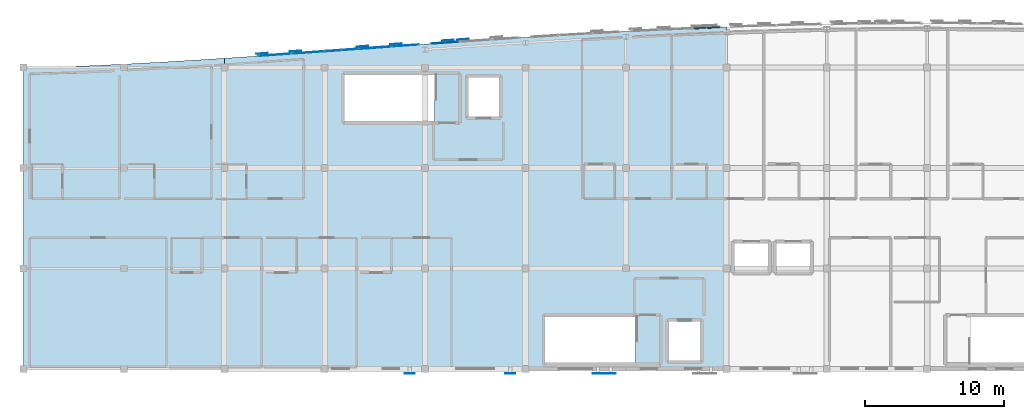
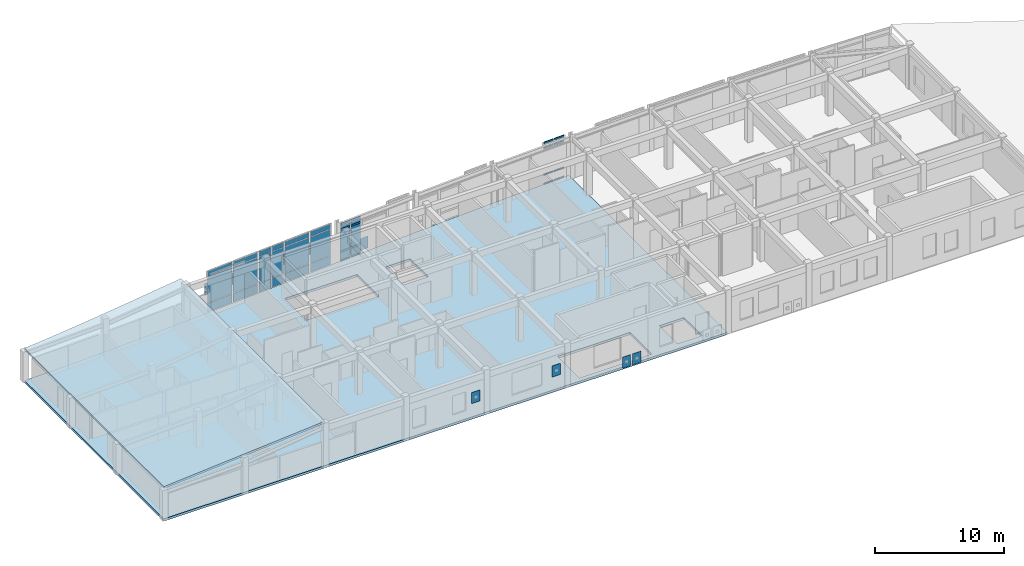
# One storey, part 16 of 24: 34 plates, 16 members, 2 slabs, 7 elements without a shape of their own.
"""IFC4 building model written with IfcOpenShell, lengths in metres."""

from ifc_helpers import new_model, si_unit, direction, frame, origin, origin_2d, place, context, subcontext, project, spatial, polyline, rectangle, hollow_rectangle, outline, extrude, material, layer, layer_set, material_profile, profile_set, type_object, element, aggregate, save


model = new_model("IFC4")

# Units and contexts
model_context = context("Model", 3, precision=1e-05, world=origin(), true_north=direction((0.0, 1.0)))
body_context = subcontext(model_context, "Body", "Model", "MODEL_VIEW")
ifc_project = project(units=[si_unit("LENGTHUNIT", "METRE"), si_unit("AREAUNIT", "SQUARE_METRE"), si_unit("VOLUMEUNIT", "CUBIC_METRE"), si_unit("PLANEANGLEUNIT", "RADIAN"), si_unit("MASSUNIT", "GRAM", prefix="KILO")], contexts=[model_context])

# Site, building, storey
site_placement = place(None, origin())
site = spatial("IfcSite", under=ifc_project, at=site_placement, CompositionType="ELEMENT")
building_placement = place(site_placement, origin())
building = spatial("IfcBuilding", under=site, at=building_placement, Name="Carrowvane Square Congress Hotel", CompositionType="ELEMENT")
storey_placement = place(building_placement, frame((0.0, 0.0, 44.39990234375)))
storey = spatial("IfcBuildingStorey", under=building, at=storey_placement, Name="L11", CompositionType="ELEMENT", Elevation=44.39990234375)

# Curtain wall, members
ifc_material_1 = material(Name="Anodised aluminium", Category="aluminium")
ifc_layer_1 = layer(ifc_material_1, 0.24609375)
ifc_layer_set_1 = layer_set([ifc_layer_1], Name="Anodised aluminium")
curtain_wall_type_1 = type_object("IfcCurtainWallType", Name="CW-SYS-8", PredefinedType="NOTDEFINED", material=ifc_layer_set_1)
curtain_wall_1_placement = place(storey_placement, origin())
curtain_wall_1 = element("IfcCurtainWall", 1, at=curtain_wall_1_placement, inside=storey, type_object=curtain_wall_type_1, Name="L11 unitised curtain wall 591", PredefinedType="NOTDEFINED")
ifc_material_2 = material(Name="Anodised aluminium", Category="aluminium")
ifc_material_profile = material_profile(ifc_material_2, hollow_rectangle(XDim=0.070068359375, YDim=0.14990234375, WallThickness=0.0048828125, at=origin_2d()), Name="CW-TR 70x150x5")
ifc_profile_set = profile_set([ifc_material_profile], Name="Anodised aluminium")
member_type = type_object("IfcMemberType", Name="CW-TRN-2", PredefinedType="USERDEFINED", material=ifc_profile_set)
member_1_placement = place(storey_placement, frame((62.427001953125, 115.11572265625, 0.03515625), z_axis=(0.997556190517, 0.069868782452, 0.0), x_axis=(-0.069868782452, 0.997556190517, 0.0)))
member_1 = element("IfcMember", 2, at=member_1_placement, type_object=member_type, Name="CW-8 transom 1.1", ObjectType="TRANSOM", PredefinedType="USERDEFINED", context=body_context, shape_type="SweptSolid", body=[
    extrude(hollow_rectangle(XDim=0.070068359375, YDim=0.14990234375, WallThickness=0.0048828125, at=origin_2d()), origin(), (0.0, 0.0, 1.0), 0.9189453125),
])
member_2_placement = place(storey_placement, frame((62.427001953125, 115.11572265625, 0.900146484375), z_axis=(0.997556190517, 0.069868782452, 0.0), x_axis=(-0.069868782452, 0.997556190517, 0.0)))
member_2 = element("IfcMember", 3, at=member_2_placement, type_object=member_type, Name="CW-8 transom 1.2", ObjectType="TRANSOM", PredefinedType="USERDEFINED", context=body_context, shape_type="SweptSolid", body=[
    extrude(hollow_rectangle(XDim=0.070068359375, YDim=0.14990234375, WallThickness=0.0048828125, at=origin_2d()), origin(), (0.0, 0.0, 1.0), 0.9189453125),
])
member_3_placement = place(storey_placement, frame((62.427001953125, 115.11572265625, 2.9755859375), z_axis=(0.997556190517, 0.069868782452, 0.0), x_axis=(-0.069868782452, 0.997556190517, 0.0)))
member_3 = element("IfcMember", 4, at=member_3_placement, type_object=member_type, Name="CW-8 transom 1.3", ObjectType="TRANSOM", PredefinedType="USERDEFINED", context=body_context, shape_type="SweptSolid", body=[
    extrude(hollow_rectangle(XDim=0.070068359375, YDim=0.14990234375, WallThickness=0.0048828125, at=origin_2d()), origin(), (0.0, 0.0, 1.0), 0.9189453125),
])
member_4_placement = place(storey_placement, frame((62.427001953125, 115.11572265625, 3.49072265625), z_axis=(0.997556190517, 0.069868782452, 0.0), x_axis=(-0.069868782452, 0.997556190517, 0.0)))
member_4 = element("IfcMember", 5, at=member_4_placement, type_object=member_type, Name="CW-8 transom 1.4", ObjectType="TRANSOM", PredefinedType="USERDEFINED", context=body_context, shape_type="SweptSolid", body=[
    extrude(hollow_rectangle(XDim=0.070068359375, YDim=0.14990234375, WallThickness=0.0048828125, at=origin_2d()), origin(), (0.0, 0.0, 1.0), 0.9189453125),
])
member_5_placement = place(storey_placement, frame((63.41357421875, 115.184814453125, 0.03515625), z_axis=(0.997574671863, 0.069604411193, 0.0), x_axis=(-0.069604411193, 0.997574671863, 0.0)))
member_5 = element("IfcMember", 6, at=member_5_placement, type_object=member_type, Name="CW-8 transom 2.1", ObjectType="TRANSOM", PredefinedType="USERDEFINED", context=body_context, shape_type="SweptSolid", body=[
    extrude(hollow_rectangle(XDim=0.070068359375, YDim=0.14990234375, WallThickness=0.0048828125, at=origin_2d()), origin(), (0.0, 0.0, 1.0), 0.9189453125),
])
member_6_placement = place(storey_placement, frame((63.41357421875, 115.184814453125, 0.900146484375), z_axis=(0.997574671863, 0.069604411193, 0.0), x_axis=(-0.069604411193, 0.997574671863, 0.0)))
member_6 = element("IfcMember", 7, at=member_6_placement, type_object=member_type, Name="CW-8 transom 2.2", ObjectType="TRANSOM", PredefinedType="USERDEFINED", context=body_context, shape_type="SweptSolid", body=[
    extrude(hollow_rectangle(XDim=0.070068359375, YDim=0.14990234375, WallThickness=0.0048828125, at=origin_2d()), origin(), (0.0, 0.0, 1.0), 0.9189453125),
])
member_7_placement = place(storey_placement, frame((63.41357421875, 115.184814453125, 2.9755859375), z_axis=(0.997574671863, 0.069604411193, 0.0), x_axis=(-0.069604411193, 0.997574671863, 0.0)))
member_7 = element("IfcMember", 8, at=member_7_placement, type_object=member_type, Name="CW-8 transom 2.3", ObjectType="TRANSOM", PredefinedType="USERDEFINED", context=body_context, shape_type="SweptSolid", body=[
    extrude(hollow_rectangle(XDim=0.070068359375, YDim=0.14990234375, WallThickness=0.0048828125, at=origin_2d()), origin(), (0.0, 0.0, 1.0), 0.9189453125),
])
member_8_placement = place(storey_placement, frame((63.41357421875, 115.184814453125, 3.49072265625), z_axis=(0.997574671863, 0.069604411193, 0.0), x_axis=(-0.069604411193, 0.997574671863, 0.0)))
member_8 = element("IfcMember", 9, at=member_8_placement, type_object=member_type, Name="CW-8 transom 2.4", ObjectType="TRANSOM", PredefinedType="USERDEFINED", context=body_context, shape_type="SweptSolid", body=[
    extrude(hollow_rectangle(XDim=0.070068359375, YDim=0.14990234375, WallThickness=0.0048828125, at=origin_2d()), origin(), (0.0, 0.0, 1.0), 0.9189453125),
])

curtain_wall_2_placement = place(storey_placement, origin())
curtain_wall_2 = element("IfcCurtainWall", 10, at=curtain_wall_2_placement, inside=storey, type_object=curtain_wall_type_1, Name="L11 unitised curtain wall 599", PredefinedType="NOTDEFINED")
member_9_placement = place(storey_placement, frame((81.27001953125, 116.23046875, 0.03515625), z_axis=(0.999197909708, 0.040044191038, 0.0), x_axis=(-0.040044191038, 0.999197909708, 0.0)))
member_9 = element("IfcMember", 11, at=member_9_placement, type_object=member_type, Name="CW-8 transom 1.1", ObjectType="TRANSOM", PredefinedType="USERDEFINED", context=body_context, shape_type="SweptSolid", body=[
    extrude(hollow_rectangle(XDim=0.070068359375, YDim=0.14990234375, WallThickness=0.0048828125, at=origin_2d()), origin(), (0.0, 0.0, 1.0), 0.896240234375),
])
member_10_placement = place(storey_placement, frame((81.27001953125, 116.23046875, 0.900146484375), z_axis=(0.999197909708, 0.040044191038, 0.0), x_axis=(-0.040044191038, 0.999197909708, 0.0)))
member_10 = element("IfcMember", 12, at=member_10_placement, type_object=member_type, Name="CW-8 transom 1.2", ObjectType="TRANSOM", PredefinedType="USERDEFINED", context=body_context, shape_type="SweptSolid", body=[
    extrude(hollow_rectangle(XDim=0.070068359375, YDim=0.14990234375, WallThickness=0.0048828125, at=origin_2d()), origin(), (0.0, 0.0, 1.0), 0.896240234375),
])
member_11_placement = place(storey_placement, frame((81.27001953125, 116.23046875, 3.400146484375), z_axis=(0.999197909708, 0.040044191038, 0.0), x_axis=(-0.040044191038, 0.999197909708, 0.0)))
member_11 = element("IfcMember", 13, at=member_11_placement, type_object=member_type, Name="CW-8 transom 1.3", ObjectType="TRANSOM", PredefinedType="USERDEFINED", context=body_context, shape_type="SweptSolid", body=[
    extrude(hollow_rectangle(XDim=0.070068359375, YDim=0.14990234375, WallThickness=0.0048828125, at=origin_2d()), origin(), (0.0, 0.0, 1.0), 0.896240234375),
])
member_12_placement = place(storey_placement, frame((81.27001953125, 116.23046875, 3.9150390625), z_axis=(0.999197909708, 0.040044191038, 0.0), x_axis=(-0.040044191038, 0.999197909708, 0.0)))
member_12 = element("IfcMember", 14, at=member_12_placement, type_object=member_type, Name="CW-8 transom 1.4", ObjectType="TRANSOM", PredefinedType="USERDEFINED", context=body_context, shape_type="SweptSolid", body=[
    extrude(hollow_rectangle(XDim=0.070068359375, YDim=0.14990234375, WallThickness=0.0048828125, at=origin_2d()), origin(), (0.0, 0.0, 1.0), 0.896240234375),
])
member_13_placement = place(storey_placement, frame((82.235595703125, 116.269287109375, 0.03515625), z_axis=(0.999197909708, 0.040044191038, 0.0), x_axis=(-0.040044191038, 0.999197909708, 0.0)))
member_13 = element("IfcMember", 15, at=member_13_placement, type_object=member_type, Name="CW-8 transom 2.1", ObjectType="TRANSOM", PredefinedType="USERDEFINED", context=body_context, shape_type="SweptSolid", body=[
    extrude(hollow_rectangle(XDim=0.070068359375, YDim=0.14990234375, WallThickness=0.0048828125, at=origin_2d()), origin(), (0.0, 0.0, 1.0), 0.896240234375),
])
member_14_placement = place(storey_placement, frame((82.235595703125, 116.269287109375, 0.900146484375), z_axis=(0.999197909708, 0.040044191038, 0.0), x_axis=(-0.040044191038, 0.999197909708, 0.0)))
member_14 = element("IfcMember", 16, at=member_14_placement, type_object=member_type, Name="CW-8 transom 2.2", ObjectType="TRANSOM", PredefinedType="USERDEFINED", context=body_context, shape_type="SweptSolid", body=[
    extrude(hollow_rectangle(XDim=0.070068359375, YDim=0.14990234375, WallThickness=0.0048828125, at=origin_2d()), origin(), (0.0, 0.0, 1.0), 0.896240234375),
])
member_15_placement = place(storey_placement, frame((82.235595703125, 116.269287109375, 3.400146484375), z_axis=(0.999197909708, 0.040044191038, 0.0), x_axis=(-0.040044191038, 0.999197909708, 0.0)))
member_15 = element("IfcMember", 17, at=member_15_placement, type_object=member_type, Name="CW-8 transom 2.3", ObjectType="TRANSOM", PredefinedType="USERDEFINED", context=body_context, shape_type="SweptSolid", body=[
    extrude(hollow_rectangle(XDim=0.070068359375, YDim=0.14990234375, WallThickness=0.0048828125, at=origin_2d()), origin(), (0.0, 0.0, 1.0), 0.896240234375),
])
member_16_placement = place(storey_placement, frame((82.235595703125, 116.269287109375, 3.9150390625), z_axis=(0.999197909708, 0.040044191038, 0.0), x_axis=(-0.040044191038, 0.999197909708, 0.0)))
member_16 = element("IfcMember", 18, at=member_16_placement, type_object=member_type, Name="CW-8 transom 2.4", ObjectType="TRANSOM", PredefinedType="USERDEFINED", context=body_context, shape_type="SweptSolid", body=[
    extrude(hollow_rectangle(XDim=0.070068359375, YDim=0.14990234375, WallThickness=0.0048828125, at=origin_2d()), origin(), (0.0, 0.0, 1.0), 0.896240234375),
])
aggregate(curtain_wall_2, [member_9, member_10, member_11, member_12, member_13, member_14, member_15, member_16])

# Curtain wall, plates
ifc_material_3 = material(Name="Anodised aluminium", Category="aluminium")
ifc_layer_2 = layer(ifc_material_3, 0.23388671875)
ifc_layer_set_2 = layer_set([ifc_layer_2], Name="Anodised aluminium")
curtain_wall_type_2 = type_object("IfcCurtainWallType", Name="CW-SYS-7", PredefinedType="NOTDEFINED", material=ifc_layer_set_2)
curtain_wall_3_placement = place(storey_placement, origin())
curtain_wall_3 = element("IfcCurtainWall", 19, at=curtain_wall_3_placement, inside=storey, type_object=curtain_wall_type_2, Name="L11 unitised curtain wall 590", PredefinedType="NOTDEFINED")
ifc_material_4 = material(Name="Double-glazed low-E glass", Category="glass")
ifc_layer_3 = layer(ifc_material_4, 0.028076171875)
ifc_layer_set_3 = layer_set([ifc_layer_3], Name="Double-glazed low-E glass")
plate_type_1 = type_object("IfcPlateType", Name="CW-PAN-1", PredefinedType="CURTAIN_PANEL", material=ifc_layer_set_3)
plate_1_placement = place(storey_placement, frame((60.5947265625, 114.986083984375, 0.06005859375), z_axis=(0.0, 0.0, 1.0), x_axis=(0.997479146426, 0.070960217342, 0.0)))
plate_1 = element("IfcPlate", 20, at=plate_1_placement, type_object=plate_type_1, Name="CW-7 panel 1.1", PredefinedType="CURTAIN_PANEL", context=body_context, shape_type="SweptSolid", body=[
    extrude(rectangle(XDim=1.87451171875, YDim=0.028076171875, at=origin_2d()), origin(), (0.0, 0.0, 1.0), 0.81005859375),
])
plate_2_placement = place(storey_placement, frame((60.5947265625, 114.986083984375, 0.93017578125), z_axis=(0.0, 0.0, 1.0), x_axis=(0.997479146426, 0.070960217342, 0.0)))
plate_2 = element("IfcPlate", 21, at=plate_2_placement, type_object=plate_type_1, Name="CW-7 panel 1.2", PredefinedType="CURTAIN_PANEL", context=body_context, shape_type="SweptSolid", body=[
    extrude(rectangle(XDim=1.87451171875, YDim=0.028076171875, at=origin_2d()), origin(), (0.0, 0.0, 1.0), 2.43994140625),
])
plate_3_placement = place(storey_placement, frame((60.5947265625, 114.986083984375, 3.43017578125), z_axis=(0.0, 0.0, 1.0), x_axis=(0.997479146426, 0.070960217342, 0.0)))
plate_3 = element("IfcPlate", 22, at=plate_3_placement, type_object=plate_type_1, Name="CW-7 panel 1.3", PredefinedType="CURTAIN_PANEL", context=body_context, shape_type="SweptSolid", body=[
    extrude(rectangle(XDim=1.87451171875, YDim=0.028076171875, at=origin_2d()), origin(), (0.0, 0.0, 1.0), 0.4599609375),
])
aggregate(curtain_wall_3, [plate_1, plate_2, plate_3])

ifc_material_5 = material(Name="Anodised aluminium", Category="aluminium")
ifc_layer_4 = layer(ifc_material_5, 0.18603515625)
ifc_layer_set_4 = layer_set([ifc_layer_4], Name="Anodised aluminium")
curtain_wall_type_3 = type_object("IfcCurtainWallType", Name="CW-SYS-3", PredefinedType="NOTDEFINED", material=ifc_layer_set_4)
curtain_wall_4_placement = place(storey_placement, origin())
curtain_wall_4 = element("IfcCurtainWall", 23, at=curtain_wall_4_placement, inside=storey, type_object=curtain_wall_type_3, Name="L11 unitised curtain wall 586", PredefinedType="NOTDEFINED")
ifc_material_6 = material(Name="Double-glazed low-E glass", Category="glass")
ifc_layer_5 = layer(ifc_material_6, 0.031982421875)
ifc_layer_set_5 = layer_set([ifc_layer_5], Name="Double-glazed low-E glass")
plate_type_2 = type_object("IfcPlateType", Name="CW-PAN-2", PredefinedType="CURTAIN_PANEL", material=ifc_layer_set_5)
plate_4_placement = place(storey_placement, frame((51.199951171875, 114.318359375, 0.06005859375), z_axis=(0.0, 0.0, 1.0), x_axis=(0.997617619706, 0.068986120725, 0.0)))
plate_4 = element("IfcPlate", 24, at=plate_4_placement, type_object=plate_type_2, Name="CW-3 panel 1.1", PredefinedType="CURTAIN_PANEL", context=body_context, shape_type="SweptSolid", body=[
    extrude(rectangle(XDim=2.28564453125, YDim=0.031982421875, at=origin_2d()), origin(), (0.0, 0.0, 1.0), 0.81005859375),
])
plate_5_placement = place(storey_placement, frame((51.199951171875, 114.318359375, 0.93017578125), z_axis=(0.0, 0.0, 1.0), x_axis=(0.997617619706, 0.068986120725, 0.0)))
plate_5 = element("IfcPlate", 25, at=plate_5_placement, type_object=plate_type_2, Name="CW-3 panel 1.2", PredefinedType="CURTAIN_PANEL", context=body_context, shape_type="SweptSolid", body=[
    extrude(rectangle(XDim=2.28564453125, YDim=0.031982421875, at=origin_2d()), origin(), (0.0, 0.0, 1.0), 2.43994140625),
])
plate_6_placement = place(storey_placement, frame((51.199951171875, 114.318359375, 3.43017578125), z_axis=(0.0, 0.0, 1.0), x_axis=(0.997617619706, 0.068986120725, 0.0)))
plate_6 = element("IfcPlate", 26, at=plate_6_placement, type_object=plate_type_2, Name="CW-3 panel 1.3", PredefinedType="CURTAIN_PANEL", context=body_context, shape_type="SweptSolid", body=[
    extrude(rectangle(XDim=2.28564453125, YDim=0.031982421875, at=origin_2d()), origin(), (0.0, 0.0, 1.0), 0.4599609375),
])
aggregate(curtain_wall_4, [plate_4, plate_5, plate_6])

# Plate
plate_7_placement = place(storey_placement, frame((62.885498046875, 115.14794921875, 0.070068359375), z_axis=(0.0, 0.0, 1.0), x_axis=(0.997566332949, 0.069723822092, 0.0)))
plate_7 = element("IfcPlate", 27, at=plate_7_placement, type_object=plate_type_2, Name="CW-8 panel 1.1", PredefinedType="CURTAIN_PANEL", context=body_context, shape_type="SweptSolid", body=[
    extrude(rectangle(XDim=0.9189453125, YDim=0.031982421875, at=origin_2d()), origin(), (0.0, 0.0, 1.0), 0.794921875),
])

plate_8_placement = place(storey_placement, frame((62.885498046875, 115.14794921875, 0.93505859375), z_axis=(0.0, 0.0, 1.0), x_axis=(0.997566332949, 0.069723822092, 0.0)))
plate_8 = element("IfcPlate", 28, at=plate_8_placement, type_object=plate_type_2, Name="CW-8 panel 1.2", PredefinedType="CURTAIN_PANEL", context=body_context, shape_type="SweptSolid", body=[
    extrude(rectangle(XDim=0.9189453125, YDim=0.031982421875, at=origin_2d()), origin(), (0.0, 0.0, 1.0), 2.005615234375),
])

plate_9_placement = place(storey_placement, frame((62.885498046875, 115.14794921875, 3.0107421875), z_axis=(0.0, 0.0, 1.0), x_axis=(0.997566332949, 0.069723822092, 0.0)))
plate_9 = element("IfcPlate", 29, at=plate_9_placement, type_object=plate_type_2, Name="CW-8 panel 1.3", PredefinedType="CURTAIN_PANEL", context=body_context, shape_type="SweptSolid", body=[
    extrude(rectangle(XDim=0.9189453125, YDim=0.031982421875, at=origin_2d()), origin(), (0.0, 0.0, 1.0), 0.445068359375),
])

plate_10_placement = place(storey_placement, frame((63.871826171875, 115.216796875, 0.070068359375), z_axis=(0.0, 0.0, 1.0), x_axis=(0.997566332949, 0.069723822092, 0.0)))
plate_10 = element("IfcPlate", 30, at=plate_10_placement, type_object=plate_type_2, Name="CW-8 panel 2.1", PredefinedType="CURTAIN_PANEL", context=body_context, shape_type="SweptSolid", body=[
    extrude(rectangle(XDim=0.9189453125, YDim=0.031982421875, at=origin_2d()), origin(), (0.0, 0.0, 1.0), 0.794921875),
])

plate_11_placement = place(storey_placement, frame((63.871826171875, 115.216796875, 0.93505859375), z_axis=(0.0, 0.0, 1.0), x_axis=(0.997566332949, 0.069723822092, 0.0)))
plate_11 = element("IfcPlate", 31, at=plate_11_placement, type_object=plate_type_2, Name="CW-8 panel 2.2", PredefinedType="CURTAIN_PANEL", context=body_context, shape_type="SweptSolid", body=[
    extrude(rectangle(XDim=0.9189453125, YDim=0.031982421875, at=origin_2d()), origin(), (0.0, 0.0, 1.0), 2.005615234375),
])

plate_12_placement = place(storey_placement, frame((63.871826171875, 115.216796875, 3.0107421875), z_axis=(0.0, 0.0, 1.0), x_axis=(0.997566332949, 0.069723822092, 0.0)))
plate_12 = element("IfcPlate", 32, at=plate_12_placement, type_object=plate_type_2, Name="CW-8 panel 2.3", PredefinedType="CURTAIN_PANEL", context=body_context, shape_type="SweptSolid", body=[
    extrude(rectangle(XDim=0.9189453125, YDim=0.031982421875, at=origin_2d()), origin(), (0.0, 0.0, 1.0), 0.445068359375),
])

aggregate(curtain_wall_1, [member_1, member_2, member_3, member_4, plate_7, plate_8, plate_9, member_5, member_6, member_7, member_8, plate_10, plate_11, plate_12])

# Curtain wall, plates
ifc_material_7 = material(Name="Anodised aluminium", Category="aluminium")
ifc_layer_6 = layer(ifc_material_7, 0.197998046875)
ifc_layer_set_6 = layer_set([ifc_layer_6], Name="Anodised aluminium")
curtain_wall_type_4 = type_object("IfcCurtainWallType", Name="CW-SYS-4", PredefinedType="NOTDEFINED", material=ifc_layer_set_6)
curtain_wall_5_placement = place(storey_placement, origin())
curtain_wall_5 = element("IfcCurtainWall", 33, at=curtain_wall_5_placement, inside=storey, type_object=curtain_wall_type_4, Name="L11 unitised curtain wall 587", PredefinedType="NOTDEFINED")
ifc_material_8 = material(Name="Double-glazed low-E glass", Category="glass")
ifc_layer_7 = layer(ifc_material_8, 0.035888671875)
ifc_layer_set_7 = layer_set([ifc_layer_7], Name="Double-glazed low-E glass")
plate_type_3 = type_object("IfcPlateType", Name="CW-PAN-3", PredefinedType="CURTAIN_PANEL", material=ifc_layer_set_7)
plate_13_placement = place(storey_placement, frame((53.60009765625, 114.486328125, 0.070068359375), z_axis=(0.0, 0.0, 1.0), x_axis=(0.997505697746, 0.070585996942, 0.0)))
plate_13 = element("IfcPlate", 34, at=plate_13_placement, type_object=plate_type_3, Name="CW-4 panel 1.1", PredefinedType="CURTAIN_PANEL", context=body_context, shape_type="SweptSolid", body=[
    extrude(rectangle(XDim=2.26611328125, YDim=0.035888671875, at=origin_2d()), origin(), (0.0, 0.0, 1.0), 0.794921875),
])
plate_14_placement = place(storey_placement, frame((53.60009765625, 114.486328125, 0.93505859375), z_axis=(0.0, 0.0, 1.0), x_axis=(0.997505697746, 0.070585996942, 0.0)))
plate_14 = element("IfcPlate", 35, at=plate_14_placement, type_object=plate_type_3, Name="CW-4 panel 1.2", PredefinedType="CURTAIN_PANEL", context=body_context, shape_type="SweptSolid", body=[
    extrude(rectangle(XDim=2.26611328125, YDim=0.035888671875, at=origin_2d()), origin(), (0.0, 0.0, 1.0), 2.429931640625),
])
plate_15_placement = place(storey_placement, frame((53.60009765625, 114.486328125, 3.43505859375), z_axis=(0.0, 0.0, 1.0), x_axis=(0.997505697746, 0.070585996942, 0.0)))
plate_15 = element("IfcPlate", 36, at=plate_15_placement, type_object=plate_type_3, Name="CW-4 panel 1.3", PredefinedType="CURTAIN_PANEL", context=body_context, shape_type="SweptSolid", body=[
    extrude(rectangle(XDim=2.26611328125, YDim=0.035888671875, at=origin_2d()), origin(), (0.0, 0.0, 1.0), 0.445068359375),
])
aggregate(curtain_wall_5, [plate_13, plate_14, plate_15])

ifc_material_9 = material(Name="Anodised aluminium", Category="aluminium")
ifc_layer_8 = layer(ifc_material_9, 0.2099609375)
ifc_layer_set_8 = layer_set([ifc_layer_8], Name="Anodised aluminium")
curtain_wall_type_5 = type_object("IfcCurtainWallType", Name="CW-SYS-5", PredefinedType="NOTDEFINED", material=ifc_layer_set_8)
curtain_wall_6_placement = place(storey_placement, origin())
curtain_wall_6 = element("IfcCurtainWall", 37, at=curtain_wall_6_placement, inside=storey, type_object=curtain_wall_type_5, Name="L11 unitised curtain wall 588", PredefinedType="NOTDEFINED")
ifc_material_10 = material(Name="Double-glazed low-E glass", Category="glass")
ifc_layer_9 = layer(ifc_material_10, 0.0419921875)
ifc_layer_set_9 = layer_set([ifc_layer_9], Name="Double-glazed low-E glass")
plate_type_4 = type_object("IfcPlateType", Name="CW-PAN-4", PredefinedType="CURTAIN_PANEL", material=ifc_layer_set_9)
plate_16_placement = place(storey_placement, frame((55.4150390625, 114.615234375, 0.06005859375), z_axis=(0.0, 0.0, 1.0), x_axis=(0.997446448898, 0.071418356042, 0.0)))
plate_16 = element("IfcPlate", 38, at=plate_16_placement, type_object=plate_type_4, Name="CW-5 panel 1.1", PredefinedType="CURTAIN_PANEL", context=body_context, shape_type="SweptSolid", body=[
    extrude(rectangle(XDim=1.113037109375, YDim=0.0419921875, at=origin_2d()), origin(), (0.0, 0.0, 1.0), 0.81005859375),
])
plate_17_placement = place(storey_placement, frame((55.4150390625, 114.615234375, 0.93017578125), z_axis=(0.0, 0.0, 1.0), x_axis=(0.997446448898, 0.071418356042, 0.0)))
plate_17 = element("IfcPlate", 39, at=plate_17_placement, type_object=plate_type_4, Name="CW-5 panel 1.2", PredefinedType="CURTAIN_PANEL", context=body_context, shape_type="SweptSolid", body=[
    extrude(rectangle(XDim=1.113037109375, YDim=0.0419921875, at=origin_2d()), origin(), (0.0, 0.0, 1.0), 2.43994140625),
])
plate_18_placement = place(storey_placement, frame((55.4150390625, 114.615234375, 3.43017578125), z_axis=(0.0, 0.0, 1.0), x_axis=(0.997446448898, 0.071418356042, 0.0)))
plate_18 = element("IfcPlate", 40, at=plate_18_placement, type_object=plate_type_4, Name="CW-5 panel 1.3", PredefinedType="CURTAIN_PANEL", context=body_context, shape_type="SweptSolid", body=[
    extrude(rectangle(XDim=1.113037109375, YDim=0.0419921875, at=origin_2d()), origin(), (0.0, 0.0, 1.0), 0.4599609375),
])
plate_19_placement = place(storey_placement, frame((56.5849609375, 114.698974609375, 0.06005859375), z_axis=(0.0, 0.0, 1.0), x_axis=(0.997446448898, 0.071418356042, 0.0)))
plate_19 = element("IfcPlate", 41, at=plate_19_placement, type_object=plate_type_4, Name="CW-5 panel 2.1", PredefinedType="CURTAIN_PANEL", context=body_context, shape_type="SweptSolid", body=[
    extrude(rectangle(XDim=1.113037109375, YDim=0.0419921875, at=origin_2d()), origin(), (0.0, 0.0, 1.0), 0.81005859375),
])
plate_20_placement = place(storey_placement, frame((56.5849609375, 114.698974609375, 0.93017578125), z_axis=(0.0, 0.0, 1.0), x_axis=(0.997446448898, 0.071418356042, 0.0)))
plate_20 = element("IfcPlate", 42, at=plate_20_placement, type_object=plate_type_4, Name="CW-5 panel 2.2", PredefinedType="CURTAIN_PANEL", context=body_context, shape_type="SweptSolid", body=[
    extrude(rectangle(XDim=1.113037109375, YDim=0.0419921875, at=origin_2d()), origin(), (0.0, 0.0, 1.0), 2.43994140625),
])
plate_21_placement = place(storey_placement, frame((56.5849609375, 114.698974609375, 3.43017578125), z_axis=(0.0, 0.0, 1.0), x_axis=(0.997446448898, 0.071418356042, 0.0)))
plate_21 = element("IfcPlate", 43, at=plate_21_placement, type_object=plate_type_4, Name="CW-5 panel 2.3", PredefinedType="CURTAIN_PANEL", context=body_context, shape_type="SweptSolid", body=[
    extrude(rectangle(XDim=1.113037109375, YDim=0.0419921875, at=origin_2d()), origin(), (0.0, 0.0, 1.0), 0.4599609375),
])
aggregate(curtain_wall_6, [plate_16, plate_17, plate_18, plate_19, plate_20, plate_21])

ifc_material_11 = material(Name="Anodised aluminium", Category="aluminium")
ifc_layer_10 = layer(ifc_material_11, 0.221923828125)
ifc_layer_set_10 = layer_set([ifc_layer_10], Name="Anodised aluminium")
curtain_wall_type_6 = type_object("IfcCurtainWallType", Name="CW-SYS-6", PredefinedType="NOTDEFINED", material=ifc_layer_set_10)
curtain_wall_7_placement = place(storey_placement, origin())
curtain_wall_7 = element("IfcCurtainWall", 44, at=curtain_wall_7_placement, inside=storey, type_object=curtain_wall_type_6, Name="L11 unitised curtain wall 589", PredefinedType="NOTDEFINED")
ifc_material_12 = material(Name="Double-glazed low-E glass", Category="glass")
ifc_layer_11 = layer(ifc_material_12, 0.048095703125)
ifc_layer_set_11 = layer_set([ifc_layer_11], Name="Double-glazed low-E glass")
plate_type_5 = type_object("IfcPlateType", Name="CW-PAN-5", PredefinedType="CURTAIN_PANEL", material=ifc_layer_set_11)
plate_22_placement = place(storey_placement, frame((58.39990234375, 114.8291015625, 0.070068359375), z_axis=(0.0, 0.0, 1.0), x_axis=(0.997438322595, 0.071531759512, 0.0)))
plate_22 = element("IfcPlate", 45, at=plate_22_placement, type_object=plate_type_5, Name="CW-6 panel 1.1", PredefinedType="CURTAIN_PANEL", context=body_context, shape_type="SweptSolid", body=[
    extrude(rectangle(XDim=2.26611328125, YDim=0.048095703125, at=origin_2d()), origin(), (0.0, 0.0, 1.0), 0.794921875),
])
plate_23_placement = place(storey_placement, frame((58.39990234375, 114.8291015625, 0.93505859375), z_axis=(0.0, 0.0, 1.0), x_axis=(0.997438322595, 0.071531759512, 0.0)))
plate_23 = element("IfcPlate", 46, at=plate_23_placement, type_object=plate_type_5, Name="CW-6 panel 1.2", PredefinedType="CURTAIN_PANEL", context=body_context, shape_type="SweptSolid", body=[
    extrude(rectangle(XDim=2.26611328125, YDim=0.048095703125, at=origin_2d()), origin(), (0.0, 0.0, 1.0), 2.429931640625),
])
plate_24_placement = place(storey_placement, frame((58.39990234375, 114.8291015625, 3.43505859375), z_axis=(0.0, 0.0, 1.0), x_axis=(0.997438322595, 0.071531759512, 0.0)))
plate_24 = element("IfcPlate", 47, at=plate_24_placement, type_object=plate_type_5, Name="CW-6 panel 1.3", PredefinedType="CURTAIN_PANEL", context=body_context, shape_type="SweptSolid", body=[
    extrude(rectangle(XDim=2.26611328125, YDim=0.048095703125, at=origin_2d()), origin(), (0.0, 0.0, 1.0), 0.445068359375),
])
aggregate(curtain_wall_7, [plate_22, plate_23, plate_24])

# Plates
ifc_material_13 = material(Name="Champagne-gold anodised aluminium", Category="aluminium")
ifc_layer_12 = layer(ifc_material_13, 0.011962890625)
ifc_layer_set_12 = layer_set([ifc_layer_12], Name="Champagne-gold anodised aluminium")
plate_type_6 = type_object("IfcPlateType", Name="PLT-PIX-GOLD12", PredefinedType="SHEET", material=ifc_layer_set_12)
for number, where, z_axis, x_axis, name in (
    (48, (52.712158203125, 114.58984375, 1.590087890625), (0.0, 0.0, 1.0), (0.997505756275, 0.070585169822, 0.0), "Champagne-gold pixel screen plate 1003"),
    (49, (57.51220703125, 114.931884765625, 1.590087890625), (0.0, 0.0, 1.0), (0.997438267187, 0.071532532122, 0.0), "Champagne-gold pixel screen plate 1004"),
    (50, (63.65625, 115.3681640625, 0.1201171875), (0.0, 0.0, 1.0), (0.997566258056, 0.069724893606, 0.0), "Champagne-gold pixel screen plate 1006"),
):
    element("IfcPlate", number, at=place(storey_placement, frame(where, z_axis=z_axis, x_axis=x_axis)), inside=storey, type_object=plate_type_6, Name=name, PredefinedType="SHEET", context=body_context, shape_type="SweptSolid", body=[
        extrude(rectangle(XDim=0.827880859375, YDim=0.011962890625, at=origin_2d()), origin(), (0.0, 0.0, 1.0), 1.1201171875),
    ])
plate_25_placement = place(storey_placement, frame((68.10009765625, 91.468994140625, 1.52490234375), z_axis=(0.0, 0.0, 1.0), x_axis=(-1.0, 0.0, 0.0)))
element("IfcPlate", 51, at=plate_25_placement, inside=storey, type_object=plate_type_6, Name="Champagne-gold pixel screen plate S-1043", PredefinedType="SHEET", context=body_context, shape_type="SweptSolid", body=[
    extrude(rectangle(XDim=0.738037109375, YDim=0.011962890625, at=origin_2d()), origin(), (0.0, 0.0, 1.0), 1.050048828125),
])
ifc_material_14 = material(Name="Champagne-gold anodised aluminium", Category="aluminium")
ifc_layer_13 = layer(ifc_material_14, 0.008056640625)
ifc_layer_set_13 = layer_set([ifc_layer_13], Name="Champagne-gold anodised aluminium")
plate_type_7 = type_object("IfcPlateType", Name="PLT-PIX-GOLD8", PredefinedType="SHEET", material=ifc_layer_set_13)
for number, where, z_axis, x_axis, name in (
    (52, (50.3076171875, 114.421142578125, 1.590087890625), (0.0, 0.0, 1.0), (0.99761759323, 0.068986503591, 0.0), "Champagne-gold pixel screen plate 1002"),
    (53, (59.907470703125, 115.1015625, 1.590087890625), (0.0, 0.0, 1.0), (0.997479379392, 0.070956942496, 0.0), "Champagne-gold pixel screen plate 1005"),
    (54, (64.7080078125, 115.43896484375, 0.1201171875), (0.0, 0.0, 1.0), (0.9976944394, 0.067866085713, 0.0), "Champagne-gold pixel screen plate 1007"),
):
    element("IfcPlate", number, at=place(storey_placement, frame(where, z_axis=z_axis, x_axis=x_axis)), inside=storey, type_object=plate_type_7, Name=name, PredefinedType="SHEET", context=body_context, shape_type="SweptSolid", body=[
        extrude(rectangle(XDim=0.827880859375, YDim=0.008056640625, at=origin_2d()), origin(), (0.0, 0.0, 1.0), 1.1201171875),
    ])
for number, where, z_axis, x_axis, name in (
    (55, (75.300048828125, 91.470947265625, 0.1552734375), (0.0, 0.0, 1.0), (-1.0, 0.0, 0.0), "Champagne-gold pixel screen plate S-1041"),
    (56, (74.39990234375, 91.470947265625, 0.1552734375), (0.0, 0.0, 1.0), (-1.0, 0.0, 0.0), "Champagne-gold pixel screen plate S-1042"),
    (57, (60.89990234375, 91.470947265625, 1.52490234375), (0.0, 0.0, 1.0), (-1.0, 0.0, 0.0), "Champagne-gold pixel screen plate S-1044"),
):
    element("IfcPlate", number, at=place(storey_placement, frame(where, z_axis=z_axis, x_axis=x_axis)), inside=storey, type_object=plate_type_7, Name=name, PredefinedType="SHEET", context=body_context, shape_type="SweptSolid", body=[
        extrude(rectangle(XDim=0.738037109375, YDim=0.008056640625, at=origin_2d()), origin(), (0.0, 0.0, 1.0), 1.050048828125),
    ])

# Slabs
ifc_material_15 = material(Name="Concrete C35/45", Category="concrete")
ifc_layer_14 = layer(ifc_material_15, 0.219970703125)
ifc_layer_set_14 = layer_set([ifc_layer_14], Name="Concrete C35/45")
slab_type_1 = type_object("IfcSlabType", Name="SLB-FLR-220", PredefinedType="FLOOR", material=ifc_layer_set_14)
slab_1_placement = place(storey_placement, frame((0.0, 0.0, -0.219970703125)))
element("IfcSlab", 58, at=slab_1_placement, inside=storey, type_object=slab_type_1, Name="L11 Hotel Wing slab panel 1", PredefinedType="FLOOR", context=body_context, shape_type="SweptSolid", body=[
    extrude(outline(polyline([(33.199951171875, 91.800048828125), (83.60009765625, 91.800048828125), (83.60009765625, 116.323974609375), (81.199951171875, 116.2275390625), (78.800048828125, 116.118408203125), (76.39990234375, 115.99755859375), (74.0, 115.86572265625), (71.60009765625, 115.724365234375), (69.199951171875, 115.57421875), (66.800048828125, 115.4169921875), (64.39990234375, 115.253662109375), (62.0, 115.0859375), (59.60009765625, 114.915283203125), (57.199951171875, 114.7431640625), (54.800048828125, 114.5712890625), (52.39990234375, 114.4013671875), (50.0, 114.235595703125), (47.60009765625, 114.075439453125), (45.199951171875, 113.923095703125), (42.800048828125, 113.78125), (40.39990234375, 113.65283203125), (38.0, 113.541015625), (35.60009765625, 113.45166015625), (33.199951171875, 113.39990234375), (33.199951171875, 91.800048828125)]), holes=[polyline([(62.679931640625, 112.89990234375), (56.199951171875, 112.89990234375), (56.199951171875, 109.5400390625), (62.679931640625, 109.5400390625), (62.679931640625, 112.89990234375)]), polyline([(77.080078125, 95.56005859375), (70.60009765625, 95.56005859375), (70.60009765625, 92.199951171875), (77.080078125, 92.199951171875), (77.080078125, 95.56005859375)]), polyline([(65.10009765625, 109.89990234375), (67.300048828125, 109.89990234375), (67.300048828125, 112.699951171875), (65.10009765625, 112.699951171875), (65.10009765625, 109.89990234375)]), polyline([(79.5, 92.39990234375), (81.699951171875, 92.39990234375), (81.699951171875, 95.199951171875), (79.5, 95.199951171875), (79.5, 92.39990234375)])]), origin(), (0.0, 0.0, 1.0), 0.219970703125),
])
ifc_material_16 = material(Name="Concrete C35/45", Category="concrete")
ifc_layer_15 = layer(ifc_material_16, 0.199951171875)
ifc_layer_set_15 = layer_set([ifc_layer_15], Name="Concrete C35/45")
slab_type_2 = type_object("IfcSlabType", Name="SLB-ROOF-200", PredefinedType="ROOF", material=ifc_layer_set_15)
slab_2_placement = place(storey_placement, frame((33.199951171875, 91.800048828125, 3.050048828125), z_axis=(-0.079617050205, 2.706473e-06, 0.996825524006), x_axis=(0.996825524009, 0.0, 0.079617050205)))
element("IfcSlab", 59, at=slab_2_placement, inside=storey, type_object=slab_type_2, Name="L11 shallow-arc curved roof panel SLB-RF-ARC-W1", PredefinedType="ROOF", context=body_context, shape_type="SweptSolid", body=[
    extrude(outline(polyline([(0.0, 0.0), (14.446004835489104, 0.0), (14.446004835496673, 22.27539062491842), (12.038218919737947, 22.123046874782897), (9.630656931829273, 21.981201172233604), (7.222871016070554, 21.852783203347993), (4.815328465918289, 21.74096679701493), (2.4077859157660315, 21.651611328181787), (7.339328210563488e-12, 21.59985351554589), (0.0, 0.0)])), origin(), (0.0, 0.0, -1.0), 0.199951171875),
])

save(model, "model.ifc")
